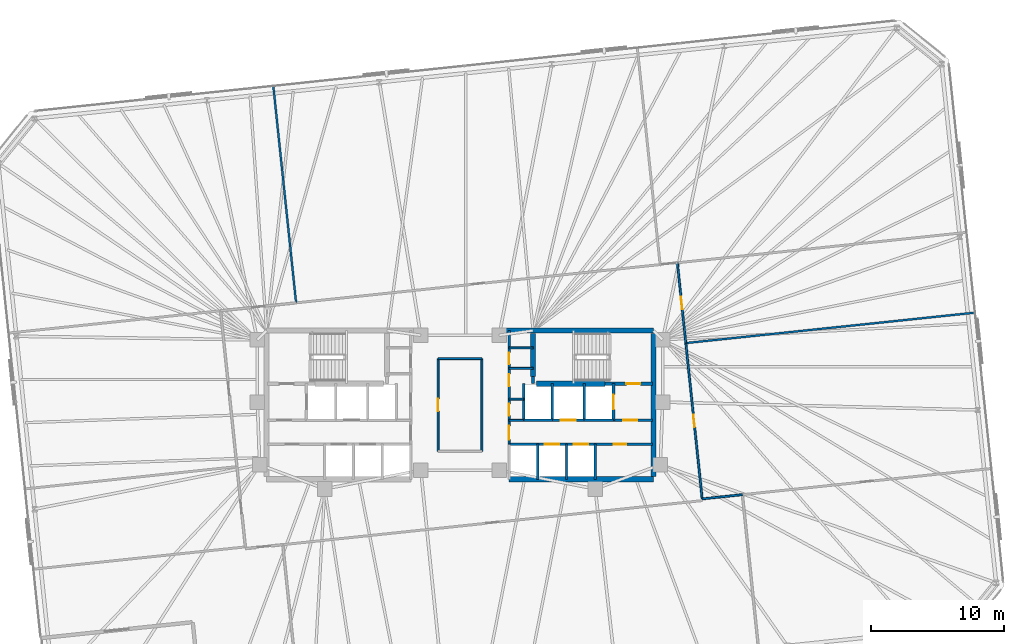
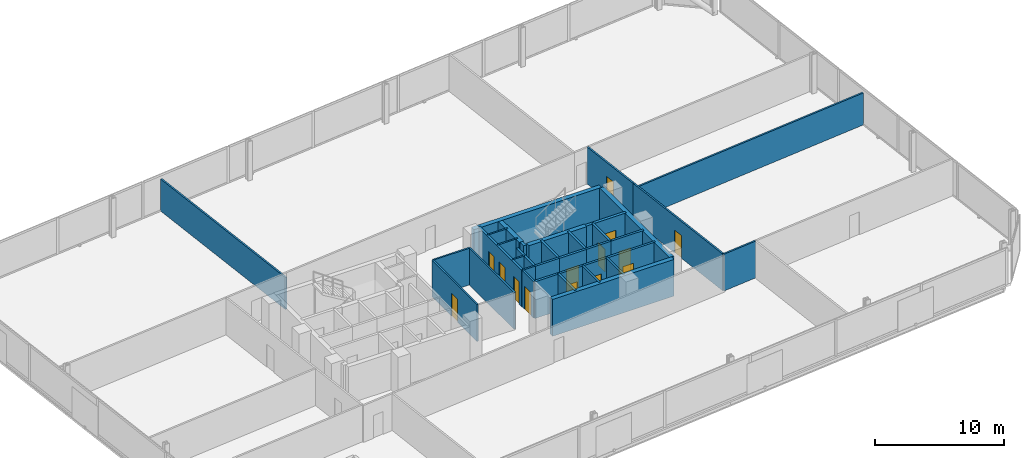
# One storey, part 15 of 18: 33 walls, 14 doors, 14 openings.
"""IFC4 building model written with IfcOpenShell, lengths in metres."""

from ifc_helpers import new_model, si_unit, direction, frame, frame_2d, origin, place, context, subcontext, project, spatial, rectangle, extrude, material, layer, layer_set, type_object, element, fill, save


model = new_model("IFC4")

# Units and contexts
model_context = context("Model", 3, precision=1e-05, world=origin(), true_north=direction((0.0, 1.0)))
body_context = subcontext(model_context, "Body", "Model", "MODEL_VIEW")
ifc_project = project(units=[si_unit("LENGTHUNIT", "METRE"), si_unit("AREAUNIT", "SQUARE_METRE"), si_unit("VOLUMEUNIT", "CUBIC_METRE"), si_unit("PLANEANGLEUNIT", "RADIAN"), si_unit("MASSUNIT", "GRAM", prefix="KILO")], contexts=[model_context])

# Site, building, storey
site_placement = place(None, origin())
site = spatial("IfcSite", under=ifc_project, at=site_placement, CompositionType="ELEMENT")
building_placement = place(site_placement, origin())
building = spatial("IfcBuilding", under=site, at=building_placement, Name="Menara Jurai Vektor", CompositionType="ELEMENT")
storey_placement = place(building_placement, frame((0.0, 0.0, 113.300048828125)))
storey = spatial("IfcBuildingStorey", under=building, at=storey_placement, Name="L28", CompositionType="ELEMENT", Elevation=113.300048828125)

# Wall, opening, door
ifc_material_1 = material(Name="Concrete C40/50", Category="concrete")
ifc_layer_1 = layer(ifc_material_1, 0.25)
ifc_layer_set_1 = layer_set([ifc_layer_1], Name="Concrete C40/50")
wall_type_1 = type_object("IfcWallType", Name="INT-WALL-CORE-250", PredefinedType="STANDARD", material=ifc_layer_set_1)
wall_1_placement = place(storey_placement, frame((10.89990234375, 1.60009765625, 0.0), z_axis=(0.0, 0.0, 1.0), x_axis=(1.0, 0.0, 0.0)))
wall_1 = element("IfcWall", 1, at=wall_1_placement, inside=storey, type_object=wall_type_1, Name="Interior Wall IW-250 L28", PredefinedType="STANDARD", context=body_context, shape_type="SweptSolid", body=[
    extrude(rectangle(XDim=3.60009765625, YDim=0.25, at=frame_2d((1.800048828125, 0.0))), origin(), (0.0, 0.0, 1.0), 3.474853515625),
])
opening_1_placement = place(wall_1_placement, frame((1.6201171875, 0.0, 0.0)))
opening_1 = element("IfcOpeningElement", 2, at=opening_1_placement, cuts=wall_1, Name="Opening D-L28-ST2", PredefinedType="OPENING", context=body_context, shape_type="SweptSolid", body=[
    extrude(rectangle(XDim=1.050048828125, YDim=2.14990234375, at=frame_2d((0.52490234375, 1.074951171875))), frame((0.0, 0.135009765625, 0.0), z_axis=(0.0, -1.0, 0.0), x_axis=(1.0, 0.0, 0.0)), (0.0, 0.0, 1.0), 0.27001953125),
])
ifc_material_2 = material(Name="Fire-Rated Steel Door", Category="steel")
door_type_1 = type_object("IfcDoorType", Name="DR-STAIR-1050", OperationType="NOTDEFINED", PredefinedType="DOOR", material=ifc_material_2)
door_1_placement = place(opening_1_placement, origin())
door_1 = element("IfcDoor", 3, at=door_1_placement, inside=storey, type_object=door_type_1, Name="Exit Stair ST2 Door L28", OperationType="SINGLE_SWING_LEFT", OverallHeight=2.14990234375, OverallWidth=1.050048828125, PredefinedType="DOOR", context=body_context, shape_type="SweptSolid", body=[
    extrude(rectangle(XDim=1.050048828125, YDim=2.14990234375, at=frame_2d((0.52490234375, 1.074951171875))), frame((0.0, 0.02490234375, 0.0), z_axis=(0.0, -1.0, 0.0), x_axis=(1.0, 0.0, 0.0)), (0.0, 0.0, 1.0), 0.050048828125),
])
fill(opening_1, door_1)

# Wall
wall_2_placement = place(storey_placement, frame((5.5, 1.60009765625, 0.0), z_axis=(0.0, 0.0, 1.0), x_axis=(0.0, 1.0, 0.0)))
element("IfcWall", 4, at=wall_2_placement, inside=storey, type_object=wall_type_1, Name="Interior Wall IW-250 L28", PredefinedType="STANDARD", context=body_context, shape_type="SweptSolid", body=[
    extrude(rectangle(XDim=0.5498046875, YDim=0.25, at=frame_2d((0.27490234375, 0.0))), origin(), (0.0, 0.0, 1.0), 3.474853515625),
])

# Wall, opening, door
wall_3_placement = place(storey_placement, frame((11.550048828125, -1.14990234375, 0.0), z_axis=(0.0, 0.0, 1.0), x_axis=(0.0, 1.0, 0.0)))
wall_3 = element("IfcWall", 5, at=wall_3_placement, inside=storey, type_object=wall_type_1, Name="Interior Wall IW-250 L28", PredefinedType="STANDARD", context=body_context, shape_type="SweptSolid", body=[
    extrude(rectangle(XDim=2.75, YDim=0.199951171875, at=frame_2d((1.375, 0.0))), origin(), (0.0, 0.0, 1.0), 3.474853515625),
])
opening_2_placement = place(wall_3_placement, frame((0.824951171875, 0.0, 0.0)))
opening_2 = element("IfcOpeningElement", 6, at=opening_2_placement, cuts=wall_3, Name="Opening LD-L28-FL2", PredefinedType="OPENING", context=body_context, shape_type="SweptSolid", body=[
    extrude(rectangle(XDim=1.10009765625, YDim=2.14990234375, at=frame_2d((0.550048828125, 1.074951171875))), frame((0.0, 0.10986328125, 0.0), z_axis=(0.0, -1.0, 0.0), x_axis=(1.0, 0.0, 0.0)), (0.0, 0.0, 1.0), 0.219970703125),
])
ifc_material_3 = material(Name="Stainless Steel Sliding Lift Landing Door", Category="steel")
door_type_2 = type_object("IfcDoorType", Name="DR-LIFT-FIRE-1100", OperationType="NOTDEFINED", PredefinedType="DOOR", material=ifc_material_3)
door_2_placement = place(opening_2_placement, origin())
door_2 = element("IfcDoor", 7, at=door_2_placement, inside=storey, type_object=door_type_2, Name="Lift Landing Door FL2 L28", OperationType="SLIDING_TO_RIGHT", OverallHeight=2.14990234375, OverallWidth=1.10009765625, PredefinedType="DOOR", context=body_context, shape_type="SweptSolid", body=[
    extrude(rectangle(XDim=1.10009765625, YDim=2.14990234375, at=frame_2d((0.550048828125, 1.074951171875))), frame((0.0, 0.02490234375, 0.0), z_axis=(0.0, -1.0, 0.0), x_axis=(1.0, 0.0, 0.0)), (0.0, 0.0, 1.0), 0.050048828125),
])
fill(opening_2, door_2)

# Wall
wall_4_placement = place(storey_placement, frame((9.35009765625, -1.14990234375, 0.0), z_axis=(0.0, 0.0, 1.0), x_axis=(0.0, 1.0, 0.0)))
element("IfcWall", 8, at=wall_4_placement, inside=storey, type_object=wall_type_1, Name="Interior Wall IW-250 L28", PredefinedType="STANDARD", context=body_context, shape_type="SweptSolid", body=[
    extrude(rectangle(XDim=2.75, YDim=0.199951171875, at=frame_2d((1.375, 0.0))), origin(), (0.0, 0.0, 1.0), 3.474853515625),
])

# Wall, opening, door
wall_5_placement = place(storey_placement, frame((11.550048828125, -1.14990234375, 0.0), z_axis=(0.0, 0.0, 1.0), x_axis=(1.0, 0.0, 0.0)))
wall_5 = element("IfcWall", 9, at=wall_5_placement, inside=storey, type_object=wall_type_1, Name="Interior Wall IW-250 L28", PredefinedType="STANDARD", context=body_context, shape_type="SweptSolid", body=[
    extrude(rectangle(XDim=2.949951171875, YDim=0.199951171875, at=frame_2d((1.47509765625, 0.0))), origin(), (0.0, 0.0, 1.0), 3.474853515625),
])
opening_3_placement = place(wall_5_placement, frame((0.75, 0.0, 0.0)))
opening_3 = element("IfcOpeningElement", 10, at=opening_3_placement, cuts=wall_5, Name="Opening D-L28-FFE", PredefinedType="OPENING", context=body_context, shape_type="SweptSolid", body=[
    extrude(rectangle(XDim=1.050048828125, YDim=2.179931640625, at=frame_2d((0.52490234375, 1.08984375))), frame((0.0, 0.10986328125, 0.0), z_axis=(0.0, -1.0, 0.0), x_axis=(1.0, 0.0, 0.0)), (0.0, 0.0, 1.0), 0.219970703125),
])
ifc_material_4 = material(Name="Fire-Rated Timber Door", Category="wood")
door_type_3 = type_object("IfcDoorType", Name="DR-LOBBY-1050", OperationType="NOTDEFINED", PredefinedType="DOOR", material=ifc_material_4)
door_3_placement = place(opening_3_placement, origin())
door_3 = element("IfcDoor", 11, at=door_3_placement, inside=storey, type_object=door_type_3, Name="Fire Lift Lobby Door E L28", OperationType="SINGLE_SWING_LEFT", OverallHeight=2.179931640625, OverallWidth=1.050048828125, PredefinedType="DOOR", context=body_context, shape_type="SweptSolid", body=[
    extrude(rectangle(XDim=1.050048828125, YDim=2.179931640625, at=frame_2d((0.52490234375, 1.08984375))), frame((0.0, 0.02490234375, 0.0), z_axis=(0.0, -1.0, 0.0), x_axis=(1.0, 0.0, 0.0)), (0.0, 0.0, 1.0), 0.050048828125),
])
fill(opening_3, door_3)

# Wall
wall_6_placement = place(storey_placement, frame((9.35009765625, -1.14990234375, 0.0), z_axis=(0.0, 0.0, 1.0), x_axis=(1.0, 0.0, 0.0)))
element("IfcWall", 12, at=wall_6_placement, inside=storey, type_object=wall_type_1, Name="Interior Wall IW-250 L28", PredefinedType="STANDARD", context=body_context, shape_type="SweptSolid", body=[
    extrude(rectangle(XDim=2.199951171875, YDim=0.199951171875, at=frame_2d((1.10009765625, 0.0))), origin(), (0.0, 0.0, 1.0), 3.474853515625),
])

# Wall, opening, door
ifc_material_5 = material(Name="Gypsum Fireboard Partition", Category="gypsum")
ifc_layer_2 = layer(ifc_material_5, 0.14990234375)
ifc_layer_set_2 = layer_set([ifc_layer_2], Name="Gypsum Fireboard Partition")
wall_type_2 = type_object("IfcWallType", Name="INT-WALL-CORR-150", PredefinedType="PARTITIONING", material=ifc_layer_set_2)
wall_7_placement = place(storey_placement, frame((3.699951171875, -2.949951171875, 0.0), z_axis=(0.0, 0.0, 1.0), x_axis=(0.0, 1.0, 0.0)))
wall_7 = element("IfcWall", 13, at=wall_7_placement, inside=storey, type_object=wall_type_2, Name="Interior Wall IW-150 L28", PredefinedType="PARTITIONING", context=body_context, shape_type="SweptSolid", body=[
    extrude(rectangle(XDim=1.800048828125, YDim=0.14990234375, at=frame_2d((0.89990234375, 0.0))), origin(), (0.0, 0.0, 1.0), 3.474853515625),
])
opening_4_placement = place(wall_7_placement, frame((0.35009765625, 0.0, 0.0)))
opening_4 = element("IfcOpeningElement", 14, at=opening_4_placement, cuts=wall_7, Name="Opening D-L28-LLE", PredefinedType="OPENING", context=body_context, shape_type="SweptSolid", body=[
    extrude(rectangle(XDim=1.050048828125, YDim=2.179931640625, at=frame_2d((0.52490234375, 1.08984375))), frame((0.0, 0.0849609375, 0.0), z_axis=(0.0, -1.0, 0.0), x_axis=(1.0, 0.0, 0.0)), (0.0, 0.0, 1.0), 0.169921875),
])
door_4_placement = place(opening_4_placement, frame((1.050048828125, 0.0, 0.0), z_axis=(0.0, 0.0, 1.0), x_axis=(-1.0, 0.0, 0.0)))
door_4 = element("IfcDoor", 15, at=door_4_placement, inside=storey, type_object=door_type_3, Name="Lift Lobby Corridor Door E L28", OperationType="SINGLE_SWING_RIGHT", OverallHeight=2.179931640625, OverallWidth=1.050048828125, PredefinedType="DOOR", context=body_context, shape_type="SweptSolid", body=[
    extrude(rectangle(XDim=1.050048828125, YDim=2.179931640625, at=frame_2d((0.52490234375, 1.08984375))), frame((0.0, 0.02490234375, 0.0), z_axis=(0.0, -1.0, 0.0), x_axis=(1.0, 0.0, 0.0)), (0.0, 0.0, 1.0), 0.050048828125),
])
fill(opening_4, door_4)

# Walls
wall_8_placement = place(storey_placement, frame((3.699951171875, -1.14990234375, 0.0), z_axis=(0.0, 0.0, 1.0), x_axis=(1.0, 0.0, 0.0)))
element("IfcWall", 16, at=wall_8_placement, inside=storey, type_object=wall_type_2, Name="Interior Wall IW-150 L28", PredefinedType="PARTITIONING", context=body_context, shape_type="SweptSolid", body=[
    extrude(rectangle(XDim=1.090087890625, YDim=0.14990234375, at=frame_2d((0.544921875, 0.0))), origin(), (0.0, 0.0, 1.0), 3.474853515625),
])
wall_9_placement = place(storey_placement, frame((3.699951171875, 4.300048828125, 0.0), z_axis=(0.0, 0.0, 1.0), x_axis=(1.0, 0.0, 0.0)))
element("IfcWall", 17, at=wall_9_placement, inside=storey, type_object=wall_type_2, Name="Interior Wall IW-150 L28", PredefinedType="PARTITIONING", context=body_context, shape_type="SweptSolid", body=[
    extrude(rectangle(XDim=1.800048828125, YDim=0.14990234375, at=frame_2d((0.89990234375, 0.0))), origin(), (0.0, 0.0, 1.0), 3.474853515625),
])
wall_10_placement = place(storey_placement, frame((3.699951171875, 0.449951171875, 0.0), z_axis=(0.0, 0.0, 1.0), x_axis=(1.0, 0.0, 0.0)))
element("IfcWall", 18, at=wall_10_placement, inside=storey, type_object=wall_type_2, Name="Interior Wall IW-150 L28", PredefinedType="PARTITIONING", context=body_context, shape_type="SweptSolid", body=[
    extrude(rectangle(XDim=1.090087890625, YDim=0.14990234375, at=frame_2d((0.544921875, 0.0))), origin(), (0.0, 0.0, 1.0), 3.474853515625),
])
wall_11_placement = place(storey_placement, frame((3.699951171875, 2.75, 0.0), z_axis=(0.0, 0.0, 1.0), x_axis=(1.0, 0.0, 0.0)))
element("IfcWall", 19, at=wall_11_placement, inside=storey, type_object=wall_type_2, Name="Interior Wall IW-150 L28", PredefinedType="PARTITIONING", context=body_context, shape_type="SweptSolid", body=[
    extrude(rectangle(XDim=1.800048828125, YDim=0.14990234375, at=frame_2d((0.89990234375, 0.0))), origin(), (0.0, 0.0, 1.0), 3.474853515625),
])

# Wall, opening, door
wall_12_placement = place(storey_placement, frame((-1.649658203125, -3.490478515625, 0.0), z_axis=(0.0, 0.0, 1.0), x_axis=(-0.000104928124, 0.999999994495, 0.0)))
wall_12 = element("IfcWall", 20, at=wall_12_placement, inside=storey, type_object=wall_type_2, Name="Interior Wall IW-150 L28", PredefinedType="PARTITIONING", context=body_context, shape_type="SweptSolid", body=[
    extrude(rectangle(XDim=6.980224609375, YDim=0.14990234375, at=frame_2d((3.490234375, 0.0))), origin(), (0.0, 0.0, 1.0), 3.474853515625),
])
opening_5_placement = place(wall_12_placement, frame((3.01513671875, 0.0, 0.0)))
opening_5 = element("IfcOpeningElement", 21, at=opening_5_placement, cuts=wall_12, Name="Opening D28-08", PredefinedType="OPENING", context=body_context, shape_type="SweptSolid", body=[
    extrude(rectangle(XDim=0.949951171875, YDim=2.14990234375, at=frame_2d((0.47509765625, 1.074951171875))), frame((0.0, 0.0849609375, 0.0), z_axis=(0.0, -1.0, 0.0), x_axis=(1.0, 0.0, 0.0)), (0.0, 0.0, 1.0), 0.169921875),
])
ifc_material_6 = material(Name="Solid Core Timber Fire Door", Category="wood")
door_type_4 = type_object("IfcDoorType", Name="DR-ENTRY-950", OperationType="NOTDEFINED", PredefinedType="DOOR", material=ifc_material_6)
door_5_placement = place(opening_5_placement, origin())
door_5 = element("IfcDoor", 22, at=door_5_placement, inside=storey, type_object=door_type_4, Name="Interior Door D28-08", OperationType="SINGLE_SWING_LEFT", OverallHeight=2.14990234375, OverallWidth=0.949951171875, PredefinedType="DOOR", context=body_context, shape_type="SweptSolid", body=[
    extrude(rectangle(XDim=0.949951171875, YDim=2.14990234375, at=frame_2d((0.47509765625, 1.074951171875))), frame((0.0, 0.02490234375, 0.0), z_axis=(0.0, -1.0, 0.0), x_axis=(1.0, 0.0, 0.0)), (0.0, 0.0, 1.0), 0.050048828125),
])
fill(opening_5, door_5)

# Walls
wall_13_placement = place(storey_placement, frame((-1.650390625, 3.48974609375, 0.0), z_axis=(0.0, 0.0, 1.0), x_axis=(1.0, 0.0, 0.0)))
element("IfcWall", 23, at=wall_13_placement, inside=storey, type_object=wall_type_2, Name="Interior Wall IW-150 L28", PredefinedType="PARTITIONING", context=body_context, shape_type="SweptSolid", body=[
    extrude(rectangle(XDim=3.30029296875, YDim=0.14990234375, at=frame_2d((1.650146484375, 0.0))), origin(), (0.0, 0.0, 1.0), 3.474853515625),
])
wall_14_placement = place(storey_placement, frame((1.650390625, -3.490478515625, 0.0), z_axis=(0.0, 0.0, 1.0), x_axis=(-6.9952083e-05, 0.999999997553, 0.0)))
element("IfcWall", 24, at=wall_14_placement, inside=storey, type_object=wall_type_2, Name="Interior Wall IW-150 L28", PredefinedType="PARTITIONING", context=body_context, shape_type="SweptSolid", body=[
    extrude(rectangle(XDim=6.980224609375, YDim=0.14990234375, at=frame_2d((3.490234375, 0.0))), origin(), (0.0, 0.0, 1.0), 3.474853515625),
])

# Wall, opening, door
wall_15_placement = place(storey_placement, frame((18.231201171875, -7.06787109375, 0.0), z_axis=(0.0, 0.0, 1.0), x_axis=(-0.104536082083, 0.994521094569, 0.0)))
wall_15 = element("IfcWall", 25, at=wall_15_placement, inside=storey, type_object=wall_type_2, Name="Interior Wall IW-150 L28", PredefinedType="PARTITIONING", context=body_context, shape_type="SweptSolid", body=[
    extrude(rectangle(XDim=11.794189453125, YDim=0.14990234375, at=frame_2d((5.89697265625, 0.0))), origin(), (0.0, 0.0, 1.0), 3.474853515625),
])
opening_6_placement = place(wall_15_placement, frame((5.422119140625, 0.0, 0.0)))
opening_6 = element("IfcOpeningElement", 26, at=opening_6_placement, cuts=wall_15, Name="Opening D28-16", PredefinedType="OPENING", context=body_context, shape_type="SweptSolid", body=[
    extrude(rectangle(XDim=0.949951171875, YDim=2.14990234375, at=frame_2d((0.47509765625, 1.074951171875))), frame((0.0, 0.0849609375, 0.0), z_axis=(0.0, -1.0, 0.0), x_axis=(1.0, 0.0, 0.0)), (0.0, 0.0, 1.0), 0.169921875),
])
door_6_placement = place(opening_6_placement, origin())
door_6 = element("IfcDoor", 27, at=door_6_placement, inside=storey, type_object=door_type_4, Name="Interior Door D28-16", OperationType="SINGLE_SWING_LEFT", OverallHeight=2.14990234375, OverallWidth=0.949951171875, PredefinedType="DOOR", context=body_context, shape_type="SweptSolid", body=[
    extrude(rectangle(XDim=0.949951171875, YDim=2.14990234375, at=frame_2d((0.47509765625, 1.074951171875))), frame((0.0, 0.02490234375, 0.0), z_axis=(0.0, -1.0, 0.0), x_axis=(1.0, 0.0, 0.0)), (0.0, 0.0, 1.0), 0.050048828125),
])
fill(opening_6, door_6)

wall_16_placement = place(storey_placement, frame((16.998291015625, 4.66162109375, 0.0), z_axis=(0.0, 0.0, 1.0), x_axis=(-0.104515354875, 0.994523273029, 0.0)))
wall_16 = element("IfcWall", 28, at=wall_16_placement, inside=storey, type_object=wall_type_2, Name="Interior Wall IW-150 L28", PredefinedType="PARTITIONING", context=body_context, shape_type="SweptSolid", body=[
    extrude(rectangle(XDim=6.07568359375, YDim=0.14990234375, at=frame_2d((3.037841796875, 0.0))), origin(), (0.0, 0.0, 1.0), 3.474853515625),
])
opening_7_placement = place(wall_16_placement, frame((2.56298828125, 0.0, 0.0)))
opening_7 = element("IfcOpeningElement", 29, at=opening_7_placement, cuts=wall_16, Name="Opening D28-17", PredefinedType="OPENING", context=body_context, shape_type="SweptSolid", body=[
    extrude(rectangle(XDim=0.949951171875, YDim=2.14990234375, at=frame_2d((0.47509765625, 1.074951171875))), frame((0.0, 0.0849609375, 0.0), z_axis=(0.0, -1.0, 0.0), x_axis=(1.0, 0.0, 0.0)), (0.0, 0.0, 1.0), 0.169921875),
])
door_7_placement = place(opening_7_placement, origin())
door_7 = element("IfcDoor", 30, at=door_7_placement, inside=storey, type_object=door_type_4, Name="Interior Door D28-17", OperationType="SINGLE_SWING_RIGHT", OverallHeight=2.14990234375, OverallWidth=0.949951171875, PredefinedType="DOOR", context=body_context, shape_type="SweptSolid", body=[
    extrude(rectangle(XDim=0.949951171875, YDim=2.14990234375, at=frame_2d((0.47509765625, 1.074951171875))), frame((0.0, 0.02490234375, 0.0), z_axis=(0.0, -1.0, 0.0), x_axis=(1.0, 0.0, 0.0)), (0.0, 0.0, 1.0), 0.050048828125),
])
fill(opening_7, door_7)

# Walls
wall_17_placement = place(storey_placement, frame((18.231201171875, -7.06787109375, 0.0), z_axis=(0.0, 0.0, 1.0), x_axis=(0.994520828596, 0.104538612428, 0.0)))
element("IfcWall", 31, at=wall_17_placement, inside=storey, type_object=wall_type_2, Name="Interior Wall IW-150 L28", PredefinedType="PARTITIONING", context=body_context, shape_type="SweptSolid", body=[
    extrude(rectangle(XDim=3.04296875, YDim=0.14990234375, at=frame_2d((1.521484375, 0.0))), origin(), (0.0, 0.0, 1.0), 3.474853515625),
])
ifc_layer_3 = layer(ifc_material_5, 0.14990234375)
ifc_layer_set_3 = layer_set([ifc_layer_3], Name="Gypsum Fireboard Partition")
wall_type_3 = type_object("IfcWallType", Name="INT-WALL-CORR-150-H1", PredefinedType="PARTITIONING", material=ifc_layer_set_3)
wall_18_placement = place(storey_placement, frame((-12.335693359375, 7.68798828125, 0.0), z_axis=(0.0, 0.0, 1.0), x_axis=(-0.104521364336, 0.99452264147, 0.0)))
element("IfcWall", 32, at=wall_18_placement, inside=storey, type_object=wall_type_3, Name="Interior Wall IW-150 L28", PredefinedType="PARTITIONING", context=body_context, shape_type="SweptSolid", body=[
    extrude(rectangle(XDim=16.408935546875, YDim=0.14990234375, at=frame_2d((8.20458984375, 0.0))), origin(), (0.0, 0.0, 1.0), 3.02490234375),
])
wall_19_placement = place(storey_placement, frame((16.998291015625, 4.66162109375, 0.0), z_axis=(0.0, 0.0, 1.0), x_axis=(0.994522487751, 0.10452282697, 0.0)))
element("IfcWall", 33, at=wall_19_placement, inside=storey, type_object=wall_type_3, Name="Interior Wall IW-150 L28", PredefinedType="PARTITIONING", context=body_context, shape_type="SweptSolid", body=[
    extrude(rectangle(XDim=21.89306640625, YDim=0.14990234375, at=frame_2d((10.946533203125, 0.0))), origin(), (0.0, 0.0, 1.0), 3.02490234375),
])

# Wall, openings, doors
ifc_layer_4 = layer(ifc_material_1, 0.199951171875)
ifc_layer_set_4 = layer_set([ifc_layer_4], Name="Concrete C40/50")
wall_type_4 = type_object("IfcWallType", Name="INT-WALL-SHAFT-200", PredefinedType="STANDARD", material=ifc_layer_set_4)
wall_20_placement = place(storey_placement, frame((3.699951171875, -1.14990234375, 0.0), z_axis=(0.0, 0.0, 1.0), x_axis=(0.0, 1.0, 0.0)))
wall_20 = element("IfcWall", 34, at=wall_20_placement, inside=storey, type_object=wall_type_4, Name="Interior Wall IW-200 L28", PredefinedType="STANDARD", context=body_context, shape_type="SweptSolid", body=[
    extrude(rectangle(XDim=6.75, YDim=0.199951171875, at=frame_2d((3.375, 0.0))), origin(), (0.0, 0.0, 1.0), 3.474853515625),
])
opening_8_placement = place(wall_20_placement, frame((0.35009765625, 0.0, 0.0)))
opening_8 = element("IfcOpeningElement", 35, at=opening_8_placement, cuts=wall_20, Name="Opening D28-05", PredefinedType="OPENING", context=body_context, shape_type="SweptSolid", body=[
    extrude(rectangle(XDim=0.8798828125, YDim=2.14990234375, at=frame_2d((0.43994140625, 1.074951171875))), frame((0.0, 0.10986328125, 0.0), z_axis=(0.0, -1.0, 0.0), x_axis=(1.0, 0.0, 0.0)), (0.0, 0.0, 1.0), 0.219970703125),
])
opening_9_placement = place(wall_20_placement, frame((2.550048828125, 0.0, 0.0)))
opening_9 = element("IfcOpeningElement", 36, at=opening_9_placement, cuts=wall_20, Name="Opening D28-06", PredefinedType="OPENING", context=body_context, shape_type="SweptSolid", body=[
    extrude(rectangle(XDim=0.919921875, YDim=2.14990234375, at=frame_2d((0.4599609375, 1.074951171875))), frame((0.0, 0.10986328125, 0.0), z_axis=(0.0, -1.0, 0.0), x_axis=(1.0, 0.0, 0.0)), (0.0, 0.0, 1.0), 0.219970703125),
])
opening_10_placement = place(wall_20_placement, frame((4.219970703125, 0.0, 0.0)))
opening_10 = element("IfcOpeningElement", 37, at=opening_10_placement, cuts=wall_20, Name="Opening D28-07", PredefinedType="OPENING", context=body_context, shape_type="SweptSolid", body=[
    extrude(rectangle(XDim=0.8798828125, YDim=2.14990234375, at=frame_2d((0.43994140625, 1.074951171875))), frame((0.0, 0.10986328125, 0.0), z_axis=(0.0, -1.0, 0.0), x_axis=(1.0, 0.0, 0.0)), (0.0, 0.0, 1.0), 0.219970703125),
])
door_8_placement = place(opening_8_placement, origin())
door_8 = element("IfcDoor", 38, at=door_8_placement, inside=storey, type_object=door_type_4, Name="Interior Door D28-05", OperationType="SINGLE_SWING_RIGHT", OverallHeight=2.14990234375, OverallWidth=0.8798828125, PredefinedType="DOOR", context=body_context, shape_type="SweptSolid", body=[
    extrude(rectangle(XDim=0.8798828125, YDim=2.14990234375, at=frame_2d((0.43994140625, 1.074951171875))), frame((0.0, 0.02490234375, 0.0), z_axis=(0.0, -1.0, 0.0), x_axis=(1.0, 0.0, 0.0)), (0.0, 0.0, 1.0), 0.050048828125),
])
fill(opening_8, door_8)
door_9_placement = place(opening_9_placement, origin())
door_9 = element("IfcDoor", 39, at=door_9_placement, inside=storey, type_object=door_type_4, Name="Interior Door D28-06", OperationType="SINGLE_SWING_RIGHT", OverallHeight=2.14990234375, OverallWidth=0.919921875, PredefinedType="DOOR", context=body_context, shape_type="SweptSolid", body=[
    extrude(rectangle(XDim=0.919921875, YDim=2.14990234375, at=frame_2d((0.4599609375, 1.074951171875))), frame((0.0, 0.02490234375, 0.0), z_axis=(0.0, -1.0, 0.0), x_axis=(1.0, 0.0, 0.0)), (0.0, 0.0, 1.0), 0.050048828125),
])
fill(opening_9, door_9)
door_10_placement = place(opening_10_placement, origin())
door_10 = element("IfcDoor", 40, at=door_10_placement, inside=storey, type_object=door_type_4, Name="Interior Door D28-07", OperationType="SINGLE_SWING_RIGHT", OverallHeight=2.14990234375, OverallWidth=0.8798828125, PredefinedType="DOOR", context=body_context, shape_type="SweptSolid", body=[
    extrude(rectangle(XDim=0.8798828125, YDim=2.14990234375, at=frame_2d((0.43994140625, 1.074951171875))), frame((0.0, 0.02490234375, 0.0), z_axis=(0.0, -1.0, 0.0), x_axis=(1.0, 0.0, 0.0)), (0.0, 0.0, 1.0), 0.050048828125),
])
fill(opening_10, door_10)

# Wall
wall_21_placement = place(storey_placement, frame((6.949951171875, -1.14990234375, 0.0), z_axis=(0.0, 0.0, 1.0), x_axis=(0.0, 1.0, 0.0)))
element("IfcWall", 41, at=wall_21_placement, inside=storey, type_object=wall_type_4, Name="Interior Wall IW-200 L28", PredefinedType="STANDARD", context=body_context, shape_type="SweptSolid", body=[
    extrude(rectangle(XDim=2.75, YDim=0.199951171875, at=frame_2d((1.375, 0.0))), origin(), (0.0, 0.0, 1.0), 3.474853515625),
])

# Wall, opening, door
wall_22_placement = place(storey_placement, frame((6.949951171875, -1.14990234375, 0.0), z_axis=(0.0, 0.0, 1.0), x_axis=(1.0, 0.0, 0.0)))
wall_22 = element("IfcWall", 42, at=wall_22_placement, inside=storey, type_object=wall_type_4, Name="Interior Wall IW-200 L28", PredefinedType="STANDARD", context=body_context, shape_type="SweptSolid", body=[
    extrude(rectangle(XDim=2.400146484375, YDim=0.199951171875, at=frame_2d((1.2001953125, 0.0))), origin(), (0.0, 0.0, 1.0), 3.474853515625),
])
opening_11_placement = place(wall_22_placement, frame((0.64990234375, 0.0, 0.0)))
opening_11 = element("IfcOpeningElement", 43, at=opening_11_placement, cuts=wall_22, Name="Opening LD-L28-SVL2", PredefinedType="OPENING", context=body_context, shape_type="SweptSolid", body=[
    extrude(rectangle(XDim=1.10009765625, YDim=2.14990234375, at=frame_2d((0.550048828125, 1.074951171875))), frame((0.0, 0.10986328125, 0.0), z_axis=(0.0, -1.0, 0.0), x_axis=(1.0, 0.0, 0.0)), (0.0, 0.0, 1.0), 0.219970703125),
])
ifc_material_7 = material(Name="Anodised Stainless Sliding Lift Landing Door", Category="steel")
door_type_5 = type_object("IfcDoorType", Name="DR-LIFT-PASS-1100", OperationType="NOTDEFINED", PredefinedType="DOOR", material=ifc_material_7)
door_11_placement = place(opening_11_placement, origin())
door_11 = element("IfcDoor", 44, at=door_11_placement, inside=storey, type_object=door_type_5, Name="Lift Landing Door SVL2 L28", OperationType="SLIDING_TO_RIGHT", OverallHeight=2.14990234375, OverallWidth=1.10009765625, PredefinedType="DOOR", context=body_context, shape_type="SweptSolid", body=[
    extrude(rectangle(XDim=1.10009765625, YDim=2.14990234375, at=frame_2d((0.550048828125, 1.074951171875))), frame((0.0, 0.02490234375, 0.0), z_axis=(0.0, -1.0, 0.0), x_axis=(1.0, 0.0, 0.0)), (0.0, 0.0, 1.0), 0.050048828125),
])
fill(opening_11, door_11)

# Walls
wall_23_placement = place(storey_placement, frame((4.7900390625, -1.14990234375, 0.0), z_axis=(0.0, 0.0, 1.0), x_axis=(0.0, 1.0, 0.0)))
element("IfcWall", 45, at=wall_23_placement, inside=storey, type_object=wall_type_4, Name="Interior Wall IW-200 L28", PredefinedType="STANDARD", context=body_context, shape_type="SweptSolid", body=[
    extrude(rectangle(XDim=2.75, YDim=0.199951171875, at=frame_2d((1.375, 0.0))), origin(), (0.0, 0.0, 1.0), 3.474853515625),
])
wall_24_placement = place(storey_placement, frame((4.7900390625, -1.14990234375, 0.0), z_axis=(0.0, 0.0, 1.0), x_axis=(1.0, 0.0, 0.0)))
element("IfcWall", 46, at=wall_24_placement, inside=storey, type_object=wall_type_4, Name="Interior Wall IW-200 L28", PredefinedType="STANDARD", context=body_context, shape_type="SweptSolid", body=[
    extrude(rectangle(XDim=2.159912109375, YDim=0.199951171875, at=frame_2d((1.080078125, 0.0))), origin(), (0.0, 0.0, 1.0), 3.474853515625),
])

# Wall, openings, doors
wall_25_placement = place(storey_placement, frame((3.699951171875, -2.949951171875, 0.0), z_axis=(0.0, 0.0, 1.0), x_axis=(1.0, 0.0, 0.0)))
wall_25 = element("IfcWall", 47, at=wall_25_placement, inside=storey, type_object=wall_type_4, Name="Interior Wall IW-200 L28", PredefinedType="STANDARD", context=body_context, shape_type="SweptSolid", body=[
    extrude(rectangle(XDim=10.800048828125, YDim=0.199951171875, at=frame_2d((5.39990234375, 0.0))), origin(), (0.0, 0.0, 1.0), 3.474853515625),
])
opening_12_placement = place(wall_25_placement, frame((2.68994140625, 0.0, 0.0)))
opening_12 = element("IfcOpeningElement", 48, at=opening_12_placement, cuts=wall_25, Name="Opening LD-L28-PM3", PredefinedType="OPENING", context=body_context, shape_type="SweptSolid", body=[
    extrude(rectangle(XDim=1.10009765625, YDim=2.14990234375, at=frame_2d((0.550048828125, 1.074951171875))), frame((0.0, 0.10986328125, 0.0), z_axis=(0.0, -1.0, 0.0), x_axis=(1.0, 0.0, 0.0)), (0.0, 0.0, 1.0), 0.219970703125),
])
opening_13_placement = place(wall_25_placement, frame((4.85009765625, 0.0, 0.0)))
opening_13 = element("IfcOpeningElement", 49, at=opening_13_placement, cuts=wall_25, Name="Opening LD-L28-PM4", PredefinedType="OPENING", context=body_context, shape_type="SweptSolid", body=[
    extrude(rectangle(XDim=1.10009765625, YDim=2.14990234375, at=frame_2d((0.550048828125, 1.074951171875))), frame((0.0, 0.10986328125, 0.0), z_axis=(0.0, -1.0, 0.0), x_axis=(1.0, 0.0, 0.0)), (0.0, 0.0, 1.0), 0.219970703125),
])
opening_14_placement = place(wall_25_placement, frame((7.8798828125, 0.0, 0.0)))
opening_14 = element("IfcOpeningElement", 50, at=opening_14_placement, cuts=wall_25, Name="Opening D28-04", PredefinedType="OPENING", context=body_context, shape_type="SweptSolid", body=[
    extrude(rectangle(XDim=0.949951171875, YDim=2.14990234375, at=frame_2d((0.47509765625, 1.074951171875))), frame((0.0, 0.10986328125, 0.0), z_axis=(0.0, -1.0, 0.0), x_axis=(1.0, 0.0, 0.0)), (0.0, 0.0, 1.0), 0.219970703125),
])
door_12_placement = place(opening_14_placement, origin())
door_12 = element("IfcDoor", 51, at=door_12_placement, inside=storey, type_object=door_type_4, Name="Interior Door D28-04", OperationType="SINGLE_SWING_LEFT", OverallHeight=2.14990234375, OverallWidth=0.949951171875, PredefinedType="DOOR", context=body_context, shape_type="SweptSolid", body=[
    extrude(rectangle(XDim=0.949951171875, YDim=2.14990234375, at=frame_2d((0.47509765625, 1.074951171875))), frame((0.0, 0.02490234375, 0.0), z_axis=(0.0, -1.0, 0.0), x_axis=(1.0, 0.0, 0.0)), (0.0, 0.0, 1.0), 0.050048828125),
])
fill(opening_14, door_12)
door_13_placement = place(opening_12_placement, origin())
door_13 = element("IfcDoor", 52, at=door_13_placement, inside=storey, type_object=door_type_5, Name="Lift Landing Door PM3 L28", OperationType="SLIDING_TO_LEFT", OverallHeight=2.14990234375, OverallWidth=1.10009765625, PredefinedType="DOOR", context=body_context, shape_type="SweptSolid", body=[
    extrude(rectangle(XDim=1.10009765625, YDim=2.14990234375, at=frame_2d((0.550048828125, 1.074951171875))), frame((0.0, 0.02490234375, 0.0), z_axis=(0.0, -1.0, 0.0), x_axis=(1.0, 0.0, 0.0)), (0.0, 0.0, 1.0), 0.050048828125),
])
fill(opening_12, door_13)
door_14_placement = place(opening_13_placement, origin())
door_14 = element("IfcDoor", 53, at=door_14_placement, inside=storey, type_object=door_type_5, Name="Lift Landing Door PM4 L28", OperationType="SLIDING_TO_RIGHT", OverallHeight=2.14990234375, OverallWidth=1.10009765625, PredefinedType="DOOR", context=body_context, shape_type="SweptSolid", body=[
    extrude(rectangle(XDim=1.10009765625, YDim=2.14990234375, at=frame_2d((0.550048828125, 1.074951171875))), frame((0.0, 0.02490234375, 0.0), z_axis=(0.0, -1.0, 0.0), x_axis=(1.0, 0.0, 0.0)), (0.0, 0.0, 1.0), 0.050048828125),
])
fill(opening_13, door_14)

# Walls
wall_26_placement = place(storey_placement, frame((5.860107421875, -5.60009765625, 0.0), z_axis=(0.0, 0.0, 1.0), x_axis=(0.0, 1.0, 0.0)))
element("IfcWall", 54, at=wall_26_placement, inside=storey, type_object=wall_type_4, Name="Interior Wall IW-200 L28", PredefinedType="STANDARD", context=body_context, shape_type="SweptSolid", body=[
    extrude(rectangle(XDim=2.650146484375, YDim=0.199951171875, at=frame_2d((1.3251953125, 0.0))), origin(), (0.0, 0.0, 1.0), 3.474853515625),
])
for number, where, z_axis, x_axis, name in (
    (55, (10.179931640625, -5.60009765625, 0.0), (0.0, 0.0, 1.0), (0.0, 1.0, 0.0), "Interior Wall IW-200 L28"),
    (56, (8.02001953125, -5.60009765625, 0.0), (0.0, 0.0, 1.0), (0.0, 1.0, 0.0), "Interior Wall IW-200 L28"),
):
    element("IfcWall", number, at=place(storey_placement, frame(where, z_axis=z_axis, x_axis=x_axis)), inside=storey, type_object=wall_type_4, Name=name, PredefinedType="STANDARD", context=body_context, shape_type="SweptSolid", body=[
        extrude(rectangle(XDim=2.650146484375, YDim=0.179931640625, at=frame_2d((1.3251953125, 0.0))), origin(), (0.0, 0.0, 1.0), 3.474853515625),
    ])
ifc_material_8 = material(Name="Concrete C50/60", Category="concrete")
ifc_layer_5 = layer(ifc_material_8, 0.39990234375)
ifc_layer_set_5 = layer_set([ifc_layer_5], Name="Concrete C50/60")
wall_type_5 = type_object("IfcWallType", Name="STR-WALL-CORE400", PredefinedType="SHEAR", material=ifc_layer_set_5)
wall_27_placement = place(storey_placement, frame((3.14990234375, 5.60009765625, 0.0), z_axis=(0.0, 0.0, 1.0), x_axis=(1.0, 0.0, 0.0)))
element("IfcWall", 57, at=wall_27_placement, inside=storey, type_object=wall_type_5, Name="Core Shear Wall CW-E-N L28", PredefinedType="SHEAR", context=body_context, shape_type="SweptSolid", body=[
    extrude(rectangle(XDim=11.41015625, YDim=0.39990234375, at=frame_2d((5.705078125, 0.0))), origin(), (0.0, 0.0, 1.0), 3.474853515625),
])
wall_28_placement = place(storey_placement, frame((3.699951171875, -5.60009765625, 0.0), z_axis=(0.0, 0.0, 1.0), x_axis=(1.0, 0.0, 0.0)))
element("IfcWall", 58, at=wall_28_placement, inside=storey, type_object=wall_type_5, Name="Core Shear Wall CW-E-S L28", PredefinedType="SHEAR", context=body_context, shape_type="SweptSolid", body=[
    extrude(rectangle(XDim=10.860107421875, YDim=0.39990234375, at=frame_2d((5.43017578125, 0.0))), origin(), (0.0, 0.0, 1.0), 3.474853515625),
])
wall_29_placement = place(storey_placement, frame((14.56005859375, -5.39990234375, 0.0), z_axis=(0.0, 0.0, 1.0), x_axis=(0.0, 1.0, 0.0)))
element("IfcWall", 59, at=wall_29_placement, inside=storey, type_object=wall_type_5, Name="Core Shear Wall CW-E-E L28", PredefinedType="SHEAR", context=body_context, shape_type="SweptSolid", body=[
    extrude(rectangle(XDim=10.7998046875, YDim=0.39990234375, at=frame_2d((5.39990234375, 0.0))), origin(), (0.0, 0.0, 1.0), 3.474853515625),
])
wall_30_placement = place(storey_placement, frame((5.5, 2.14990234375, 0.0), z_axis=(0.0, 0.0, 1.0), x_axis=(0.0, 1.0, 0.0)))
element("IfcWall", 60, at=wall_30_placement, inside=storey, type_object=wall_type_5, Name="Core Shear Wall CW-E-ST L28", PredefinedType="SHEAR", context=body_context, shape_type="SweptSolid", body=[
    extrude(rectangle(XDim=3.25, YDim=0.39990234375, at=frame_2d((1.625, 0.0))), origin(), (0.0, 0.0, 1.0), 3.474853515625),
])
wall_31_placement = place(storey_placement, frame((5.75, 1.60009765625, 0.0), z_axis=(0.0, 0.0, 1.0), x_axis=(1.0, 0.0, 0.0)))
element("IfcWall", 61, at=wall_31_placement, inside=storey, type_object=wall_type_5, Name="Core Shear Wall CW-E-STS L28", PredefinedType="SHEAR", context=body_context, shape_type="SweptSolid", body=[
    extrude(rectangle(XDim=5.14990234375, YDim=0.39990234375, at=frame_2d((2.574951171875, 0.0))), origin(), (0.0, 0.0, 1.0), 3.474853515625),
])

save(model, "model.ifc")
